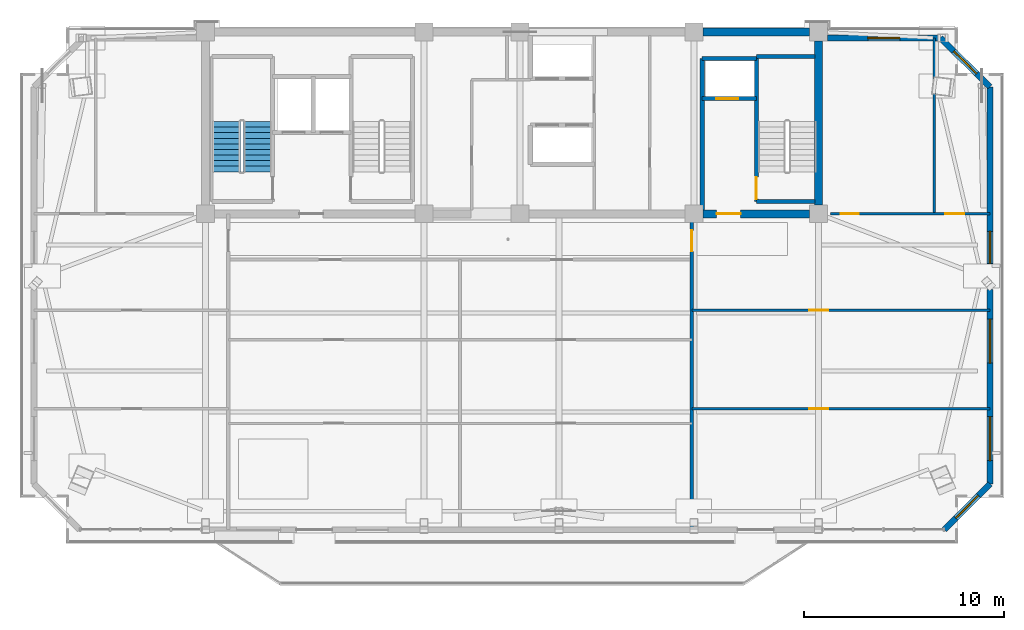
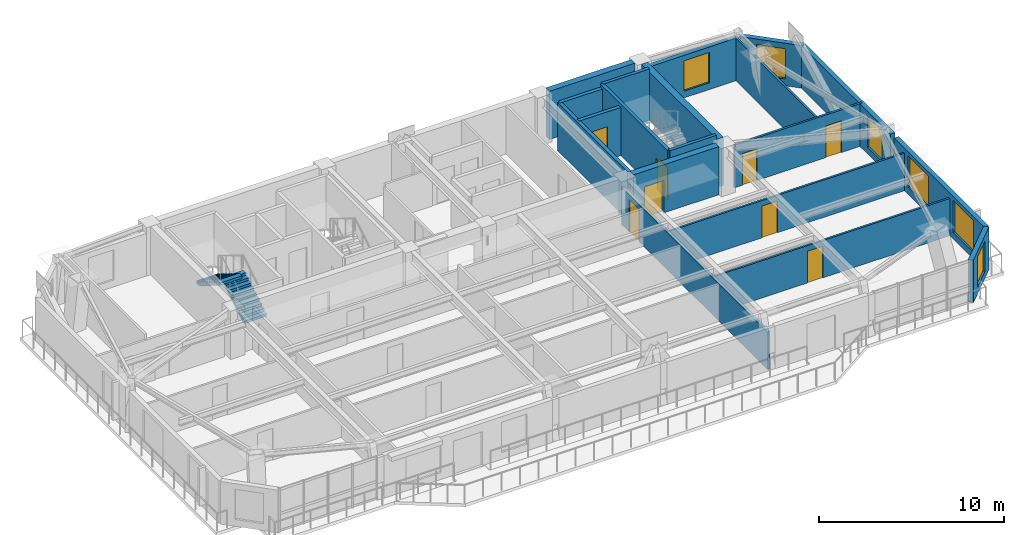
# One storey, part 8 of 13: 19 walls, 8 doors, 6 windows, 2 stair flights, 14 openings, 1 element without a shape of its own.
"""IFC4 building model written with IfcOpenShell, lengths in metres."""

from ifc_helpers import new_model, si_unit, direction, frame, frame_2d, origin, place, context, subcontext, project, spatial, polyline, rectangle, outline, extrude, source, transform, mapped, material, layer, layer_set, type_object, element, fill, aggregate, save


model = new_model("IFC4")

# Units and contexts
model_context = context("Model", 3, precision=1e-05, world=origin(), true_north=direction((0.0, 1.0)))
body_context = subcontext(model_context, "Body", "Model", "MODEL_VIEW")
ifc_project = project(units=[si_unit("LENGTHUNIT", "METRE"), si_unit("AREAUNIT", "SQUARE_METRE"), si_unit("VOLUMEUNIT", "CUBIC_METRE"), si_unit("PLANEANGLEUNIT", "RADIAN"), si_unit("MASSUNIT", "GRAM", prefix="KILO")], contexts=[model_context])

# Site, building, storey
site_placement = place(None, origin())
site = spatial("IfcSite", under=ifc_project, at=site_placement, CompositionType="ELEMENT")
building_placement = place(site_placement, origin())
building = spatial("IfcBuilding", under=site, at=building_placement, Name="Giltprow Tower", CompositionType="ELEMENT")
storey_placement = place(building_placement, frame((0.0, 0.0, 332.300048828125)))
storey = spatial("IfcBuildingStorey", under=building, at=storey_placement, Name="L86", CompositionType="ELEMENT", Elevation=332.300048828125)

# Wall, opening, window
ifc_material_1 = material(Name="Precast concrete C40", Category="concrete")
ifc_layer_1 = layer(ifc_material_1, 0.300048828125, Name="Precast concrete C40")
ifc_layer_set_1 = layer_set([ifc_layer_1], Name="Precast concrete C40")
wall_type_1 = type_object("IfcWallType", Name="EW-NOTCH-CHAMFER-300", PredefinedType="SOLIDWALL", material=ifc_layer_set_1)
wall_1_placement = place(storey_placement, frame((56.839111328125, 21.635986328125, 0.0), z_axis=(0.0, 0.0, 1.0), x_axis=(0.707106781187, 0.707106781187, 0.0)))
wall_1 = element("IfcWall", 1, at=wall_1_placement, inside=storey, type_object=wall_type_1, Name="L86 Corner Notch Wall SE", PredefinedType="SOLIDWALL", context=body_context, shape_type="SweptSolid", body=[
    extrude(rectangle(XDim=3.241455078125, YDim=0.300048828125, at=frame_2d((1.62060546875, 0.0))), origin(), (0.0, 0.0, 1.0), 2.81494140625),
])
opening_1_placement = place(wall_1_placement, frame((0.821044921875, 0.0, 0.449951171875)))
opening_1 = element("IfcOpeningElement", 2, at=opening_1_placement, cuts=wall_1, Name="Opening WN17", PredefinedType="OPENING", context=body_context, shape_type="SweptSolid", body=[
    extrude(rectangle(XDim=1.60009765625, YDim=2.0, at=frame_2d((0.800048828125, 1.0))), frame((0.0, 0.159912109375, 0.0), z_axis=(0.0, -1.0, 0.0), x_axis=(1.0, 0.0, 0.0)), (0.0, 0.0, 1.0), 0.320068359375),
])
ifc_material_2 = material(Name="Insulated glass", Category="glass")
window_type_1 = type_object("IfcWindowType", Name="WN-COR-1600x2000", PartitioningType="SINGLE_PANEL", PredefinedType="WINDOW", material=ifc_material_2)
shared_shape_1 = source(origin(), body_context, "Body", "SweptSolid", [
    extrude(rectangle(XDim=1.60009765625, YDim=2.0, at=frame_2d((0.800048828125, 1.0))), frame((0.0, 0.030029296875, 0.0), z_axis=(0.0, -1.0, 0.0), x_axis=(1.0, 0.0, 0.0)), (0.0, 0.0, 1.0), 0.06005859375),
])
window_1_placement = place(opening_1_placement, origin())
window_1 = element("IfcWindow", 3, at=window_1_placement, inside=storey, type_object=window_type_1, Name="L86 Corner Notch Window SE", OverallHeight=2.0, OverallWidth=1.60009765625, PartitioningType="SINGLE_PANEL", PredefinedType="WINDOW", context=body_context, shape_type="MappedRepresentation", body=[
    mapped(shared_shape_1, transform((0.0, 0.0, 0.0), x_axis=(1.0, 0.0, 0.0), y_axis=(0.0, 1.0, 0.0), z_axis=(0.0, 0.0, 1.0), scale=1.0)),
])
fill(opening_1, window_1)

wall_2_placement = place(storey_placement, frame((59.131103515625, 43.80810546875, 0.0), z_axis=(0.0, 0.0, 1.0), x_axis=(-0.7142771975, 0.699862904526, 0.0)))
wall_2 = element("IfcWall", 4, at=wall_2_placement, inside=storey, type_object=wall_type_1, Name="L86 Corner Notch Wall NE", PredefinedType="SOLIDWALL", context=body_context, shape_type="SweptSolid", body=[
    extrude(rectangle(XDim=3.489013671875, YDim=0.300048828125, at=frame_2d((1.74462890625, 0.0))), origin(), (0.0, 0.0, 1.0), 2.81494140625),
])
opening_2_placement = place(wall_2_placement, frame((0.945068359375, 0.0, 0.449951171875)))
opening_2 = element("IfcOpeningElement", 5, at=opening_2_placement, cuts=wall_2, Name="Opening WN17", PredefinedType="OPENING", context=body_context, shape_type="SweptSolid", body=[
    extrude(rectangle(XDim=1.60009765625, YDim=2.0, at=frame_2d((0.800048828125, 1.0))), frame((0.0, 0.159912109375, 0.0), z_axis=(0.0, -1.0, 0.0), x_axis=(1.0, 0.0, 0.0)), (0.0, 0.0, 1.0), 0.320068359375),
])
window_2_placement = place(opening_2_placement, origin())
window_2 = element("IfcWindow", 6, at=window_2_placement, inside=storey, type_object=window_type_1, Name="L86 Corner Notch Window NE", OverallHeight=2.0, OverallWidth=1.60009765625, PartitioningType="SINGLE_PANEL", PredefinedType="WINDOW", context=body_context, shape_type="MappedRepresentation", body=[
    mapped(shared_shape_1, transform((0.0, 0.0, 0.0), x_axis=(1.0, 0.0, 0.0), y_axis=(0.0, 1.0, 0.0), z_axis=(0.0, 0.0, 1.0), scale=1.0)),
])
fill(opening_2, window_2)

# Wall, openings, windows
ifc_layer_2 = layer(ifc_material_1, 0.280029296875, Name="Precast concrete C40")
ifc_layer_set_2 = layer_set([ifc_layer_2], Name="Precast concrete C40")
wall_type_2 = type_object("IfcWallType", Name="EW-TOW-BRONZE-280", PredefinedType="SOLIDWALL", material=ifc_layer_set_2)
wall_3_placement = place(storey_placement, frame((59.131103515625, 23.927978515625, 0.0), z_axis=(0.0, 0.0, 1.0), x_axis=(0.0, 1.0, 0.0)))
wall_3 = element("IfcWall", 7, at=wall_3_placement, inside=storey, type_object=wall_type_2, Name="L86 E Wing Masonry Wall 1", PredefinedType="SOLIDWALL", context=body_context, shape_type="SweptSolid", body=[
    extrude(rectangle(XDim=9.739990234375, YDim=0.280029296875, at=frame_2d((4.8701171875, 0.0))), origin(), (0.0, 0.0, 1.0), 2.81494140625),
])
opening_3_placement = place(wall_3_placement, frame((1.1640625, 0.0, 0.449951171875)))
opening_3 = element("IfcOpeningElement", 8, at=opening_3_placement, cuts=wall_3, Name="Opening WN27", PredefinedType="OPENING", context=body_context, shape_type="SweptSolid", body=[
    extrude(rectangle(XDim=2.199951171875, YDim=2.10009765625, at=frame_2d((1.10009765625, 1.050048828125))), frame((0.0, 0.14990234375, 0.0), z_axis=(0.0, -1.0, 0.0), x_axis=(1.0, 0.0, 0.0)), (0.0, 0.0, 1.0), 0.300048828125),
])
opening_4_placement = place(wall_3_placement, frame((6.0419921875, 0.0, 0.449951171875)))
opening_4 = element("IfcOpeningElement", 9, at=opening_4_placement, cuts=wall_3, Name="Opening WN27", PredefinedType="OPENING", context=body_context, shape_type="SweptSolid", body=[
    extrude(rectangle(XDim=2.199951171875, YDim=2.10009765625, at=frame_2d((1.10009765625, 1.050048828125))), frame((0.0, 0.14990234375, 0.0), z_axis=(0.0, -1.0, 0.0), x_axis=(1.0, 0.0, 0.0)), (0.0, 0.0, 1.0), 0.300048828125),
])
window_type_2 = type_object("IfcWindowType", Name="WN-RES-2200x2100", PartitioningType="TRIPLE_PANEL_VERTICAL", PredefinedType="WINDOW", material=ifc_material_2)
shared_shape_2 = source(origin(), body_context, "Body", "SweptSolid", [
    extrude(rectangle(XDim=2.199951171875, YDim=2.10009765625, at=frame_2d((1.10009765625, 1.050048828125))), frame((0.0, 0.030029296875, 0.0), z_axis=(0.0, -1.0, 0.0), x_axis=(1.0, 0.0, 0.0)), (0.0, 0.0, 1.0), 0.06005859375),
])
window_3_placement = place(opening_3_placement, origin())
window_3 = element("IfcWindow", 10, at=window_3_placement, inside=storey, type_object=window_type_2, Name="L86 E Wing Window 1-1A", OverallHeight=2.10009765625, OverallWidth=2.199951171875, PartitioningType="SINGLE_PANEL", PredefinedType="WINDOW", context=body_context, shape_type="MappedRepresentation", body=[
    mapped(shared_shape_2, transform((0.0, 0.0, 0.0), x_axis=(1.0, 0.0, 0.0), y_axis=(0.0, 1.0, 0.0), z_axis=(0.0, 0.0, 1.0), scale=1.0)),
])
fill(opening_3, window_3)
window_4_placement = place(opening_4_placement, origin())
window_4 = element("IfcWindow", 11, at=window_4_placement, inside=storey, type_object=window_type_2, Name="L86 E Wing Window 1-1B", OverallHeight=2.10009765625, OverallWidth=2.199951171875, PartitioningType="SINGLE_PANEL", PredefinedType="WINDOW", context=body_context, shape_type="MappedRepresentation", body=[
    mapped(shared_shape_2, transform((0.0, 0.0, 0.0), x_axis=(1.0, 0.0, 0.0), y_axis=(0.0, 1.0, 0.0), z_axis=(0.0, 0.0, 1.0), scale=1.0)),
])
fill(opening_4, window_4)

# Wall, opening, window
wall_4_placement = place(storey_placement, frame((59.131103515625, 34.068115234375, 0.0), z_axis=(0.0, 0.0, 1.0), x_axis=(0.0, 1.0, 0.0)))
wall_4 = element("IfcWall", 12, at=wall_4_placement, inside=storey, type_object=wall_type_2, Name="L86 E Wing Masonry Wall 2", PredefinedType="SOLIDWALL", context=body_context, shape_type="SweptSolid", body=[
    extrude(rectangle(XDim=9.739990234375, YDim=0.280029296875, at=frame_2d((4.8701171875, 0.0))), origin(), (0.0, 0.0, 1.0), 2.81494140625),
])
opening_5_placement = place(wall_4_placement, frame((0.89599609375, 0.0, 0.449951171875)))
opening_5 = element("IfcOpeningElement", 13, at=opening_5_placement, cuts=wall_4, Name="Opening WN17", PredefinedType="OPENING", context=body_context, shape_type="SweptSolid", body=[
    extrude(rectangle(XDim=1.60009765625, YDim=2.0, at=frame_2d((0.800048828125, 1.0))), frame((0.0, 0.14990234375, 0.0), z_axis=(0.0, -1.0, 0.0), x_axis=(1.0, 0.0, 0.0)), (0.0, 0.0, 1.0), 0.300048828125),
])
window_5_placement = place(opening_5_placement, origin())
window_5 = element("IfcWindow", 14, at=window_5_placement, inside=storey, type_object=window_type_1, Name="L86 E Wing Window 2-1", OverallHeight=2.0, OverallWidth=1.60009765625, PartitioningType="SINGLE_PANEL", PredefinedType="WINDOW", context=body_context, shape_type="MappedRepresentation", body=[
    mapped(shared_shape_1, transform((0.0, 0.0, 0.0), x_axis=(1.0, 0.0, 0.0), y_axis=(0.0, 1.0, 0.0), z_axis=(0.0, 0.0, 1.0), scale=1.0)),
])
fill(opening_5, window_5)

wall_5_placement = place(storey_placement, frame((51.0, 46.25, 0.0), z_axis=(0.0, 0.0, 1.0), x_axis=(1.0, 0.0, 0.0)))
wall_5 = element("IfcWall", 15, at=wall_5_placement, inside=storey, type_object=wall_type_2, Name="L86 North-East Wing Wall", PredefinedType="SOLIDWALL", context=body_context, shape_type="SweptSolid", body=[
    extrude(rectangle(XDim=5.638916015625, YDim=0.280029296875, at=frame_2d((2.8193359375, 0.0))), origin(), (0.0, 0.0, 1.0), 2.81494140625),
])
opening_6_placement = place(wall_5_placement, frame((2.02001953125, 0.0, 0.449951171875)))
opening_6 = element("IfcOpeningElement", 16, at=opening_6_placement, cuts=wall_5, Name="Opening WN17", PredefinedType="OPENING", context=body_context, shape_type="SweptSolid", body=[
    extrude(rectangle(XDim=1.60009765625, YDim=2.0, at=frame_2d((0.800048828125, 1.0))), frame((0.0, 0.14990234375, 0.0), z_axis=(0.0, -1.0, 0.0), x_axis=(1.0, 0.0, 0.0)), (0.0, 0.0, 1.0), 0.300048828125),
])
window_6_placement = place(opening_6_placement, origin())
window_6 = element("IfcWindow", 17, at=window_6_placement, inside=storey, type_object=window_type_1, Name="L86 North-East Window", OverallHeight=2.0, OverallWidth=1.60009765625, PartitioningType="SINGLE_PANEL", PredefinedType="WINDOW", context=body_context, shape_type="MappedRepresentation", body=[
    mapped(shared_shape_1, transform((0.0, 0.0, 0.0), x_axis=(1.0, 0.0, 0.0), y_axis=(0.0, 1.0, 0.0), z_axis=(0.0, 0.0, 1.0), scale=1.0)),
])
fill(opening_6, window_6)

# Wall, opening, door
ifc_material_3 = material(Name="Gypsum stud partition", Category="gypsum")
ifc_layer_3 = layer(ifc_material_3, 0.159912109375, Name="Gypsum stud partition")
ifc_layer_set_3 = layer_set([ifc_layer_3], Name="Gypsum stud partition")
wall_type_3 = type_object("IfcWallType", Name="IW-DEMISE-160", PredefinedType="PARTITIONING", material=ifc_layer_set_3)
wall_6_placement = place(storey_placement, frame((44.199951171875, 21.635986328125, 0.0), z_axis=(0.0, 0.0, 1.0), x_axis=(0.0, 1.0, 0.0)))
wall_6 = element("IfcWall", 18, at=wall_6_placement, inside=storey, type_object=wall_type_3, Name="L86 Apartment Party Wall 3", PredefinedType="PARTITIONING", context=body_context, shape_type="SweptSolid", body=[
    extrude(rectangle(XDim=15.81396484375, YDim=0.159912109375, at=frame_2d((7.906982421875, 0.0))), origin(), (0.0, 0.0, 1.0), 2.469970703125),
])
opening_7_placement = place(wall_6_placement, frame((13.93408203125, 0.0, 0.0)))
opening_7 = element("IfcOpeningElement", 19, at=opening_7_placement, cuts=wall_6, Name="Opening ID31", PredefinedType="OPENING", context=body_context, shape_type="SweptSolid", body=[
    extrude(rectangle(XDim=1.050048828125, YDim=2.14990234375, at=frame_2d((0.52490234375, 1.074951171875))), frame((0.0, 0.08984375, 0.0), z_axis=(0.0, -1.0, 0.0), x_axis=(1.0, 0.0, 0.0)), (0.0, 0.0, 1.0), 0.179931640625),
])
ifc_material_4 = material(Name="Engineered timber", Category="wood")
door_type_1 = type_object("IfcDoorType", Name="DR-SUITE-1050", OperationType="SINGLE_SWING_LEFT", PredefinedType="DOOR", material=ifc_material_4)
shared_shape_3 = source(origin(), body_context, "Body", "SweptSolid", [
    extrude(rectangle(XDim=1.050048828125, YDim=2.14990234375, at=frame_2d((0.52490234375, 1.074951171875))), frame((0.0, 0.02490234375, 0.0), z_axis=(0.0, -1.0, 0.0), x_axis=(1.0, 0.0, 0.0)), (0.0, 0.0, 1.0), 0.050048828125),
])
door_1_placement = place(opening_7_placement, origin())
door_1 = element("IfcDoor", 20, at=door_1_placement, inside=storey, type_object=door_type_1, Name="L86 Sky Study Office Corridor End Door", OperationType="SINGLE_SWING_LEFT", OverallHeight=2.14990234375, OverallWidth=1.050048828125, PredefinedType="DOOR", context=body_context, shape_type="MappedRepresentation", body=[
    mapped(shared_shape_3, transform((0.0, 0.0, 0.0), x_axis=(1.0, 0.0, 0.0), y_axis=(0.0, 1.0, 0.0), z_axis=(0.0, 0.0, 1.0), scale=1.0)),
])
fill(opening_7, door_1)

ifc_layer_4 = layer(ifc_material_3, 0.1201171875, Name="Gypsum stud partition")
ifc_layer_set_4 = layer_set([ifc_layer_4], Name="Gypsum stud partition")
wall_type_4 = type_object("IfcWallType", Name="IW-ROOM-120", PredefinedType="PARTITIONING", material=ifc_layer_set_4)
wall_7_placement = place(storey_placement, frame((44.199951171875, 27.69189453125, 0.0), z_axis=(0.0, 0.0, 1.0), x_axis=(1.0, 0.0, 0.0)))
wall_7 = element("IfcWall", 21, at=wall_7_placement, inside=storey, type_object=wall_type_4, Name="L86 Special Split 1", PredefinedType="PARTITIONING", context=body_context, shape_type="SweptSolid", body=[
    extrude(rectangle(XDim=14.93115234375, YDim=0.1201171875, at=frame_2d((7.465576171875, 0.0))), origin(), (0.0, 0.0, 1.0), 2.469970703125),
])
opening_8_placement = place(wall_7_placement, frame((5.89208984375, 0.0, 0.0)))
opening_8 = element("IfcOpeningElement", 22, at=opening_8_placement, cuts=wall_7, Name="Opening ID11", PredefinedType="OPENING", context=body_context, shape_type="SweptSolid", body=[
    extrude(rectangle(XDim=0.949951171875, YDim=2.10009765625, at=frame_2d((0.47509765625, 1.050048828125))), frame((0.0, 0.070068359375, 0.0), z_axis=(0.0, -1.0, 0.0), x_axis=(1.0, 0.0, 0.0)), (0.0, 0.0, 1.0), 0.14013671875),
])
door_type_2 = type_object("IfcDoorType", Name="DR-ROOM-950", OperationType="SINGLE_SWING_RIGHT", PredefinedType="DOOR", material=ifc_material_4)
shared_shape_4 = source(origin(), body_context, "Body", "SweptSolid", [
    extrude(rectangle(XDim=0.949951171875, YDim=2.10009765625, at=frame_2d((0.47509765625, 1.050048828125))), frame((0.0, 0.02490234375, 0.0), z_axis=(0.0, -1.0, 0.0), x_axis=(1.0, 0.0, 0.0)), (0.0, 0.0, 1.0), 0.050048828125),
])
door_2_placement = place(opening_8_placement, origin())
door_2 = element("IfcDoor", 23, at=door_2_placement, inside=storey, type_object=door_type_2, Name="L86 Sky Study Office South Door", OperationType="SINGLE_SWING_LEFT", OverallHeight=2.10009765625, OverallWidth=0.949951171875, PredefinedType="DOOR", context=body_context, shape_type="MappedRepresentation", body=[
    mapped(shared_shape_4, transform((0.0, 0.0, 0.0), x_axis=(1.0, 0.0, 0.0), y_axis=(0.0, 1.0, 0.0), z_axis=(0.0, 0.0, 1.0), scale=1.0)),
])
fill(opening_8, door_2)

wall_8_placement = place(storey_placement, frame((44.199951171875, 32.615966796875, 0.0), z_axis=(0.0, 0.0, 1.0), x_axis=(1.0, 0.0, 0.0)))
wall_8 = element("IfcWall", 24, at=wall_8_placement, inside=storey, type_object=wall_type_4, Name="L86 Special Split 2", PredefinedType="PARTITIONING", context=body_context, shape_type="SweptSolid", body=[
    extrude(rectangle(XDim=14.93115234375, YDim=0.1201171875, at=frame_2d((7.465576171875, 0.0))), origin(), (0.0, 0.0, 1.0), 2.469970703125),
])
opening_9_placement = place(wall_8_placement, frame((5.89208984375, 0.0, 0.0)))
opening_9 = element("IfcOpeningElement", 25, at=opening_9_placement, cuts=wall_8, Name="Opening ID11", PredefinedType="OPENING", context=body_context, shape_type="SweptSolid", body=[
    extrude(rectangle(XDim=0.949951171875, YDim=2.10009765625, at=frame_2d((0.47509765625, 1.050048828125))), frame((0.0, 0.070068359375, 0.0), z_axis=(0.0, -1.0, 0.0), x_axis=(1.0, 0.0, 0.0)), (0.0, 0.0, 1.0), 0.14013671875),
])
door_3_placement = place(opening_9_placement, origin())
door_3 = element("IfcDoor", 26, at=door_3_placement, inside=storey, type_object=door_type_2, Name="L86 Sky Study Office Mid Door", OperationType="SINGLE_SWING_RIGHT", OverallHeight=2.10009765625, OverallWidth=0.949951171875, PredefinedType="DOOR", context=body_context, shape_type="MappedRepresentation", body=[
    mapped(shared_shape_4, transform((0.0, 0.0, 0.0), x_axis=(1.0, 0.0, 0.0), y_axis=(0.0, 1.0, 0.0), z_axis=(0.0, 0.0, 1.0), scale=1.0)),
])
fill(opening_9, door_3)

ifc_material_5 = material(Name="Concrete C40", Category="concrete")
ifc_layer_5 = layer(ifc_material_5, 0.219970703125, Name="Concrete C40")
ifc_layer_set_5 = layer_set([ifc_layer_5], Name="Concrete C40")
wall_type_5 = type_object("IfcWallType", Name="IW-SHAFT-220", PredefinedType="SOLIDWALL", material=ifc_layer_set_5)
wall_9_placement = place(storey_placement, frame((44.719970703125, 43.219970703125, 0.0), z_axis=(0.0, 0.0, 1.0), x_axis=(1.0, 0.0, 0.0)))
wall_9 = element("IfcWall", 27, at=wall_9_placement, inside=storey, type_object=wall_type_5, Name="L86 FFL2 Front Shaft Wall", PredefinedType="SOLIDWALL", context=body_context, shape_type="SweptSolid", body=[
    extrude(rectangle(XDim=2.719970703125, YDim=0.219970703125, at=frame_2d((1.35986328125, 0.0))), origin(), (0.0, 0.0, 1.0), 3.18505859375),
])
opening_10_placement = place(wall_9_placement, frame((0.699951171875, 0.0, 0.0)))
opening_10 = element("IfcOpeningElement", 28, at=opening_10_placement, cuts=wall_9, Name="Opening LD-11", PredefinedType="OPENING", context=body_context, shape_type="SweptSolid", body=[
    extrude(rectangle(XDim=1.10009765625, YDim=2.199951171875, at=frame_2d((0.550048828125, 1.10009765625))), frame((0.0, 0.119873046875, 0.0), z_axis=(0.0, -1.0, 0.0), x_axis=(1.0, 0.0, 0.0)), (0.0, 0.0, 1.0), 0.239990234375),
])
ifc_material_6 = material(Name="Stainless steel", Category="steel")
door_type_3 = type_object("IfcDoorType", Name="DR-LIFT-LD1100", OperationType="SLIDING_TO_LEFT", PredefinedType="DOOR", material=ifc_material_6)
shared_shape_5 = source(origin(), body_context, "Body", "SweptSolid", [
    extrude(rectangle(XDim=1.10009765625, YDim=2.199951171875, at=frame_2d((0.550048828125, 1.10009765625))), frame((0.0, 0.02490234375, 0.0), z_axis=(0.0, -1.0, 0.0), x_axis=(1.0, 0.0, 0.0)), (0.0, 0.0, 1.0), 0.050048828125),
])
door_4_placement = place(opening_10_placement, origin())
door_4 = element("IfcDoor", 29, at=door_4_placement, inside=storey, type_object=door_type_3, Name="L86 FFL2 Landing Door", OperationType="SLIDING_TO_LEFT", OverallHeight=2.199951171875, OverallWidth=1.10009765625, PredefinedType="DOOR", context=body_context, shape_type="MappedRepresentation", body=[
    mapped(shared_shape_5, transform((0.0, 0.0, 0.0), x_axis=(1.0, 0.0, 0.0), y_axis=(0.0, 1.0, 0.0), z_axis=(0.0, 0.0, 1.0), scale=1.0)),
])
fill(opening_10, door_4)

# Walls
wall_10_placement = place(storey_placement, frame((44.719970703125, 45.219970703125, 0.0), z_axis=(0.0, 0.0, 1.0), x_axis=(1.0, 0.0, 0.0)))
element("IfcWall", 30, at=wall_10_placement, inside=storey, type_object=wall_type_5, Name="L86 FFL2 Back Shaft Wall", PredefinedType="SOLIDWALL", context=body_context, shape_type="SweptSolid", body=[
    extrude(rectangle(XDim=2.719970703125, YDim=0.219970703125, at=frame_2d((1.35986328125, 0.0))), origin(), (0.0, 0.0, 1.0), 3.18505859375),
])
wall_11_placement = place(storey_placement, frame((44.719970703125, 37.6298828125, 0.0), z_axis=(0.0, 0.0, 1.0), x_axis=(0.0, 1.0, 0.0)))
element("IfcWall", 31, at=wall_11_placement, inside=storey, type_object=wall_type_5, Name="L86 East Firefighting Lobby West Wall", PredefinedType="SOLIDWALL", context=body_context, shape_type="SweptSolid", body=[
    extrude(rectangle(XDim=7.590087890625, YDim=0.219970703125, at=frame_2d((3.794921875, 0.0))), origin(), (0.0, 0.0, 1.0), 3.18505859375),
])

# Wall, opening, door
ifc_layer_6 = layer(ifc_material_5, 0.199951171875, Name="Concrete C40")
ifc_layer_set_6 = layer_set([ifc_layer_6], Name="Concrete C40")
wall_type_6 = type_object("IfcWallType", Name="IW-STAIR-200", PredefinedType="SOLIDWALL", material=ifc_layer_set_6)
wall_12_placement = place(storey_placement, frame((47.43994140625, 38.070068359375, 0.0), z_axis=(0.0, 0.0, 1.0), x_axis=(0.0, 1.0, 0.0)))
wall_12 = element("IfcWall", 32, at=wall_12_placement, inside=storey, type_object=wall_type_6, Name="L86 Stair ST-3 West Bearing Wall", PredefinedType="SOLIDWALL", context=body_context, shape_type="SweptSolid", body=[
    extrude(rectangle(XDim=7.25, YDim=0.199951171875, at=frame_2d((3.625, 0.0))), origin(), (0.0, 0.0, 1.0), 3.39990234375),
])
opening_11_placement = place(wall_12_placement, frame((0.110107421875, 0.0, 0.0)))
opening_11 = element("IfcOpeningElement", 33, at=opening_11_placement, cuts=wall_12, Name="Opening ID33", PredefinedType="OPENING", context=body_context, shape_type="SweptSolid", body=[
    extrude(rectangle(XDim=1.10009765625, YDim=2.14990234375, at=frame_2d((0.550048828125, 1.074951171875))), frame((0.0, 0.10986328125, 0.0), z_axis=(0.0, -1.0, 0.0), x_axis=(1.0, 0.0, 0.0)), (0.0, 0.0, 1.0), 0.219970703125),
])
ifc_material_7 = material(Name="Steel fire leaf", Category="steel")
door_type_4 = type_object("IfcDoorType", Name="DR-STAIR-1100", OperationType="SINGLE_SWING_LEFT", PredefinedType="DOOR", material=ifc_material_7)
shared_shape_6 = source(origin(), body_context, "Body", "SweptSolid", [
    extrude(rectangle(XDim=1.10009765625, YDim=2.14990234375, at=frame_2d((0.550048828125, 1.074951171875))), frame((0.0, 0.02490234375, 0.0), z_axis=(0.0, -1.0, 0.0), x_axis=(1.0, 0.0, 0.0)), (0.0, 0.0, 1.0), 0.050048828125),
])
door_5_placement = place(opening_11_placement, origin())
door_5 = element("IfcDoor", 34, at=door_5_placement, inside=storey, type_object=door_type_4, Name="L86 Stair ST-3 Fire Door", OperationType="SINGLE_SWING_RIGHT", OverallHeight=2.14990234375, OverallWidth=1.10009765625, PredefinedType="DOOR", context=body_context, shape_type="MappedRepresentation", body=[
    mapped(shared_shape_6, transform((0.0, 0.0, 0.0), x_axis=(1.0, 0.0, 0.0), y_axis=(0.0, 1.0, 0.0), z_axis=(0.0, 0.0, 1.0), scale=1.0)),
])
fill(opening_11, door_5)

# Walls
for number, where, z_axis, x_axis, name in (
    (35, (47.43994140625, 45.320068359375, 0.0), (0.0, 0.0, 1.0), (1.0, 0.0, 0.0), "L86 Stair ST-3 North Bearing Wall"),
    (36, (47.43994140625, 38.070068359375, 0.0), (0.0, 0.0, 1.0), (1.0, 0.0, 0.0), "L86 Stair ST-3 South Bearing Wall"),
):
    element("IfcWall", number, at=place(storey_placement, frame(where, z_axis=z_axis, x_axis=x_axis)), inside=storey, type_object=wall_type_6, Name=name, PredefinedType="SOLIDWALL", context=body_context, shape_type="SweptSolid", body=[
        extrude(rectangle(XDim=2.93017578125, YDim=0.199951171875, at=frame_2d((1.465087890625, 0.0))), origin(), (0.0, 0.0, 1.0), 3.39990234375),
    ])

# Wall, openings, doors
ifc_material_8 = material(Name="Concrete C30", Category="concrete")
ifc_layer_7 = layer(ifc_material_8, 0.1298828125, Name="Concrete C30")
ifc_layer_set_7 = layer_set([ifc_layer_7], Name="Concrete C30")
wall_type_7 = type_object("IfcWallType", Name="IW-WET-130", PredefinedType="PARTITIONING", material=ifc_layer_set_7)
wall_13_placement = place(storey_placement, frame((51.14990234375, 37.449951171875, 0.0), z_axis=(0.0, 0.0, 1.0), x_axis=(1.0, 0.0, 0.0)))
wall_13 = element("IfcWall", 37, at=wall_13_placement, inside=storey, type_object=wall_type_7, Name="L86 NE Wing South Wall", PredefinedType="PARTITIONING", context=body_context, shape_type="SweptSolid", body=[
    extrude(rectangle(XDim=7.981201171875, YDim=0.1298828125, at=frame_2d((3.99072265625, 0.0))), origin(), (0.0, 0.0, 1.0), 2.820068359375),
])
opening_12_placement = place(wall_13_placement, frame((0.5, 0.0, 0.0)))
opening_12 = element("IfcOpeningElement", 38, at=opening_12_placement, cuts=wall_13, Name="Opening ID15", PredefinedType="OPENING", context=body_context, shape_type="SweptSolid", body=[
    extrude(rectangle(XDim=0.89990234375, YDim=2.10009765625, at=frame_2d((0.449951171875, 1.050048828125))), frame((0.0, 0.074951171875, 0.0), z_axis=(0.0, -1.0, 0.0), x_axis=(1.0, 0.0, 0.0)), (0.0, 0.0, 1.0), 0.14990234375),
])
opening_13_placement = place(wall_13_placement, frame((5.735107421875, 0.0, 0.0)))
opening_13 = element("IfcOpeningElement", 39, at=opening_13_placement, cuts=wall_13, Name="Opening ID11", PredefinedType="OPENING", context=body_context, shape_type="SweptSolid", body=[
    extrude(rectangle(XDim=0.949951171875, YDim=2.10009765625, at=frame_2d((0.47509765625, 1.050048828125))), frame((0.0, 0.074951171875, 0.0), z_axis=(0.0, -1.0, 0.0), x_axis=(1.0, 0.0, 0.0)), (0.0, 0.0, 1.0), 0.14990234375),
])
door_type_5 = type_object("IfcDoorType", Name="DR-WC-900", OperationType="SINGLE_SWING_LEFT", PredefinedType="DOOR", material=ifc_material_4)
shared_shape_7 = source(origin(), body_context, "Body", "SweptSolid", [
    extrude(rectangle(XDim=0.89990234375, YDim=2.10009765625, at=frame_2d((0.449951171875, 1.050048828125))), frame((0.0, 0.02490234375, 0.0), z_axis=(0.0, -1.0, 0.0), x_axis=(1.0, 0.0, 0.0)), (0.0, 0.0, 1.0), 0.050048828125),
])
door_6_placement = place(opening_12_placement, origin())
door_6 = element("IfcDoor", 40, at=door_6_placement, inside=storey, type_object=door_type_5, Name="L86 East Wing Washroom Door", OperationType="SINGLE_SWING_RIGHT", OverallHeight=2.10009765625, OverallWidth=0.89990234375, PredefinedType="DOOR", context=body_context, shape_type="MappedRepresentation", body=[
    mapped(shared_shape_7, transform((0.0, 0.0, 0.0), x_axis=(1.0, 0.0, 0.0), y_axis=(0.0, 1.0, 0.0), z_axis=(0.0, 0.0, 1.0), scale=1.0)),
])
fill(opening_12, door_6)
door_7_placement = place(opening_13_placement, origin())
door_7 = element("IfcDoor", 41, at=door_7_placement, inside=storey, type_object=door_type_2, Name="L86 Residents Reading Lounge Door", OperationType="SINGLE_SWING_LEFT", OverallHeight=2.10009765625, OverallWidth=0.949951171875, PredefinedType="DOOR", context=body_context, shape_type="MappedRepresentation", body=[
    mapped(shared_shape_4, transform((0.0, 0.0, 0.0), x_axis=(1.0, 0.0, 0.0), y_axis=(0.0, 1.0, 0.0), z_axis=(0.0, 0.0, 1.0), scale=1.0)),
])
fill(opening_13, door_7)

# Walls
wall_14_placement = place(storey_placement, frame((56.3349609375, 37.449951171875, 0.0), z_axis=(0.0, 0.0, 1.0), x_axis=(0.0, 1.0, 0.0)))
element("IfcWall", 42, at=wall_14_placement, inside=storey, type_object=wall_type_7, Name="L86 NE Wing Divider", PredefinedType="PARTITIONING", context=body_context, shape_type="SweptSolid", body=[
    extrude(rectangle(XDim=8.800048828125, YDim=0.1298828125, at=frame_2d((4.39990234375, 0.0))), origin(), (0.0, 0.0, 1.0), 2.820068359375),
])
ifc_material_9 = material(Name="Concrete C45", Category="concrete")
ifc_layer_8 = layer(ifc_material_9, 0.39990234375, Name="Concrete C45")
ifc_layer_set_8 = layer_set([ifc_layer_8], Name="Concrete C45")
wall_type_8 = type_object("IfcWallType", Name="SW-EXT-400-C45", PredefinedType="SHEAR", material=ifc_layer_set_8)
wall_15_placement = place(storey_placement, frame((44.75, 46.550048828125, 0.0), z_axis=(0.0, 0.0, 1.0), x_axis=(1.0, 0.0, 0.0)))
element("IfcWall", 43, at=wall_15_placement, inside=storey, type_object=wall_type_8, Name="L86 North Rear Core Shear Wall 4", PredefinedType="SHEAR", context=body_context, shape_type="SweptSolid", body=[
    extrude(rectangle(XDim=5.35009765625, YDim=0.39990234375, at=frame_2d((2.675048828125, 0.0))), origin(), (0.0, 0.0, 1.0), 3.18505859375),
])

# Wall, opening, door
ifc_layer_9 = layer(ifc_material_9, 0.39990234375, Name="Concrete C45")
ifc_layer_set_9 = layer_set([ifc_layer_9], Name="Concrete C45")
wall_type_9 = type_object("IfcWallType", Name="SW-INT-400-C45", PredefinedType="SHEAR", material=ifc_layer_set_9)
wall_16_placement = place(storey_placement, frame((44.75, 37.449951171875, 0.0), z_axis=(0.0, 0.0, 1.0), x_axis=(1.0, 0.0, 0.0)))
wall_16 = element("IfcWall", 44, at=wall_16_placement, inside=storey, type_object=wall_type_9, Name="L86 South Rear Core Shear Wall East", PredefinedType="SHEAR", context=body_context, shape_type="SweptSolid", body=[
    extrude(rectangle(XDim=5.35009765625, YDim=0.39990234375, at=frame_2d((2.675048828125, 0.0))), origin(), (0.0, 0.0, 1.0), 3.18505859375),
])
opening_14_placement = place(wall_16_placement, frame((0.699951171875, 0.0, 0.0)))
opening_14 = element("IfcOpeningElement", 45, at=opening_14_placement, cuts=wall_16, Name="Opening ID19", PredefinedType="OPENING", context=body_context, shape_type="SweptSolid", body=[
    extrude(rectangle(XDim=1.199951171875, YDim=2.14990234375, at=frame_2d((0.60009765625, 1.074951171875))), frame((0.0, 0.2099609375, 0.0), z_axis=(0.0, -1.0, 0.0), x_axis=(1.0, 0.0, 0.0)), (0.0, 0.0, 1.0), 0.419921875),
])
door_type_6 = type_object("IfcDoorType", Name="DR-FFLOBBY-1200", OperationType="SINGLE_SWING_RIGHT", PredefinedType="DOOR", material=ifc_material_7)
shared_shape_8 = source(origin(), body_context, "Body", "SweptSolid", [
    extrude(rectangle(XDim=1.199951171875, YDim=2.14990234375, at=frame_2d((0.60009765625, 1.074951171875))), frame((0.0, 0.02490234375, 0.0), z_axis=(0.0, -1.0, 0.0), x_axis=(1.0, 0.0, 0.0)), (0.0, 0.0, 1.0), 0.050048828125),
])
door_8_placement = place(opening_14_placement, origin())
door_8 = element("IfcDoor", 46, at=door_8_placement, inside=storey, type_object=door_type_6, Name="L86 East Firefighting Lobby Entry Door", OperationType="SINGLE_SWING_RIGHT", OverallHeight=2.14990234375, OverallWidth=1.199951171875, PredefinedType="DOOR", context=body_context, shape_type="MappedRepresentation", body=[
    mapped(shared_shape_8, transform((0.0, 0.0, 0.0), x_axis=(1.0, 0.0, 0.0), y_axis=(0.0, 1.0, 0.0), z_axis=(0.0, 0.0, 1.0), scale=1.0)),
])
fill(opening_14, door_8)

# Wall
wall_17_placement = place(storey_placement, frame((50.550048828125, 37.89990234375, 0.0), z_axis=(0.0, 0.0, 1.0), x_axis=(0.0, 1.0, 0.0)))
element("IfcWall", 47, at=wall_17_placement, inside=storey, type_object=wall_type_9, Name="L86 E Rear Core Shear Wall", PredefinedType="SHEAR", context=body_context, shape_type="SweptSolid", body=[
    extrude(rectangle(XDim=8.2001953125, YDim=0.39990234375, at=frame_2d((4.10009765625, 0.0))), origin(), (0.0, 0.0, 1.0), 3.18505859375),
])

# Stair, stair flights
stair_type = type_object("IfcStairType", Name="STR-ST-1", PredefinedType="HALF_TURN_STAIR", material=ifc_material_5)
stair_placement = place(storey_placement, origin())
stair = element("IfcStair", 48, at=stair_placement, inside=storey, type_object=stair_type, Name="L86 Core Exit Stair ST-1", PredefinedType="HALF_TURN_STAIR")
stair_flight_type = type_object("IfcStairFlightType", Name="SFL-ST-1", PredefinedType="STRAIGHT", material=ifc_material_5)
stair_flight_1_placement = place(storey_placement, frame((22.4599609375, 39.550048828125, 0.0), z_axis=(0.0, 0.0, 1.0), x_axis=(0.0, 1.0, 0.0)))
stair_flight_1 = element("IfcStairFlight", 49, at=stair_flight_1_placement, type_object=stair_flight_type, Name="ST-1 flight 1", NumberOfRisers=10, NumberOfTreads=9, PredefinedType="STRAIGHT", RiserHeight=0.17, TreadLength=0.28, context=body_context, shape_type="SweptSolid", body=[
    extrude(outline(polyline([(0.0, 0.0), (0.0, 0.169921875), (0.280029296875, 0.169921875), (0.280029296875, 0.340087890625), (0.56005859375, 0.340087890625), (0.56005859375, 0.510009765625), (0.840087890625, 0.510009765625), (0.840087890625, 0.679931640625), (1.1201171875, 0.679931640625), (1.1201171875, 0.85009765625), (1.39990234375, 0.85009765625), (1.39990234375, 1.02001953125), (1.679931640625, 1.02001953125), (1.679931640625, 1.18994140625), (1.9599609375, 1.18994140625), (1.9599609375, 1.360107421875), (2.239990234375, 1.360107421875), (2.239990234375, 1.530029296875), (2.52001953125, 1.530029296875), (2.52001953125, 1.699951171875), (2.52001953125, 1.354736328125), (0.288818359375, 0.0), (0.0, 0.0)])), frame((0.0, 0.699951171875, 0.0), z_axis=(0.0, -1.0, 0.0), x_axis=(1.0, 0.0, 0.0)), (0.0, 0.0, 1.0), 1.39990234375),
])
stair_flight_2_placement = place(storey_placement, frame((20.89990234375, 42.070068359375, 1.699951171875), z_axis=(0.0, 0.0, 1.0), x_axis=(0.0, -1.0, 0.0)))
stair_flight_2 = element("IfcStairFlight", 50, at=stair_flight_2_placement, type_object=stair_flight_type, Name="ST-1 flight 2", NumberOfRisers=10, NumberOfTreads=9, PredefinedType="STRAIGHT", RiserHeight=0.17, TreadLength=0.28, context=body_context, shape_type="SweptSolid", body=[
    extrude(outline(polyline([(0.0, 0.0), (0.0, 0.169921875), (0.280029296875, 0.169921875), (0.280029296875, 0.340087890625), (0.56005859375, 0.340087890625), (0.56005859375, 0.510009765625), (0.840087890625, 0.510009765625), (0.840087890625, 0.679931640625), (1.1201171875, 0.679931640625), (1.1201171875, 0.85009765625), (1.39990234375, 0.85009765625), (1.39990234375, 1.02001953125), (1.679931640625, 1.02001953125), (1.679931640625, 1.18994140625), (1.9599609375, 1.18994140625), (1.9599609375, 1.360107421875), (2.239990234375, 1.360107421875), (2.239990234375, 1.530029296875), (2.52001953125, 1.530029296875), (2.52001953125, 1.699951171875), (2.52001953125, 1.354736328125), (0.288818359375, 0.0), (0.0, 0.0)])), frame((0.0, 0.699951171875, 0.0), z_axis=(0.0, -1.0, 0.0), x_axis=(1.0, 0.0, 0.0)), (0.0, 0.0, 1.0), 1.39990234375),
])
aggregate(stair, [stair_flight_1, stair_flight_2])

save(model, "model.ifc")
